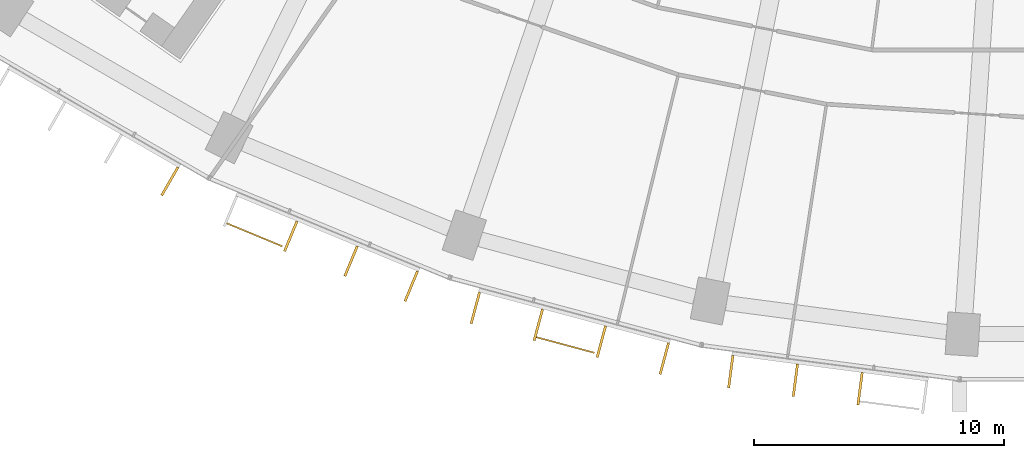
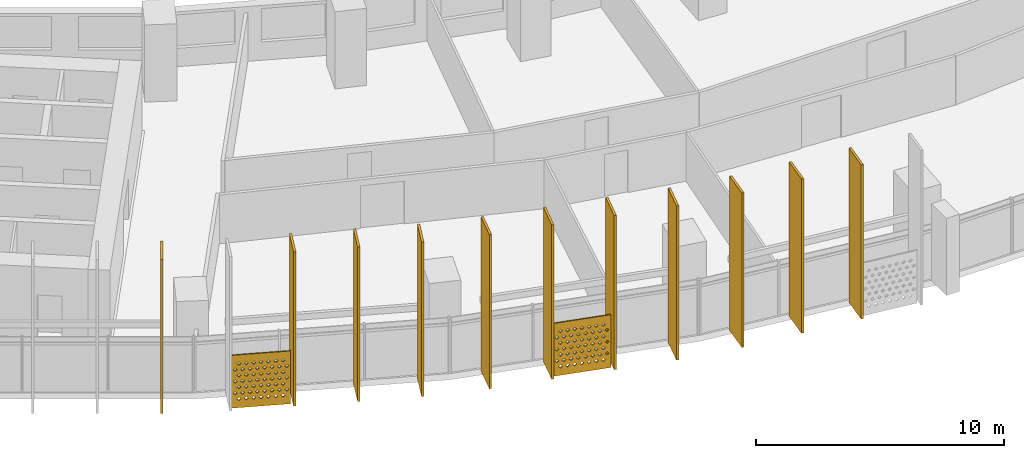
# One storey, part 27 of 32: 13 shading devices.
"""IFC4 building model written with IfcOpenShell, lengths in metres."""

import ifcopenshell
import ifcopenshell.guid

model = None  # the IFC model being written
_history = None  # IfcOwnerHistory: only IFC2X3 demands one
_inside = {}  # id of a spatial element -> (the spatial element, [elements in it])
_under = {}  # id of a project, library or spatial element -> (it, [spatial elements below it])
_declared = {}  # id of a project -> (the project, [libraries it declares])
_typed = {}  # id of a type object -> (the type object, [elements of that type])
_made_of = {}  # id of a material, layer set ... -> (it, [elements and type objects made of it])


def new_model(schema):
    """Start an empty IFC model of exactly this schema.

    Asked for "IFC4X3", IfcOpenShell would pick the latest addendum, in which some entities
    have other attributes; the version numbers below select the first issue.
    IFC2X3 requires an IfcOwnerHistory on every rooted entity: one is made here for all.
    """
    global model, _history
    if schema == "IFC4X3":
        model = ifcopenshell.file(schema_version=(4, 3, 0, 0))
    else:
        model = ifcopenshell.file(schema=schema)
    _inside.clear()
    _under.clear()
    _declared.clear()
    _typed.clear()
    _made_of.clear()
    _history = None
    if model.schema == "IFC2X3":
        org = make("IfcOrganization", Name="unknown")
        user = make(
            "IfcPersonAndOrganization",
            ThePerson=make("IfcPerson", FamilyName="unknown"),
            TheOrganization=org,
        )
        app = make(
            "IfcApplication",
            ApplicationDeveloper=org,
            Version="unknown",
            ApplicationFullName="unknown",
            ApplicationIdentifier="unknown",
        )
        _history = make(
            "IfcOwnerHistory",
            OwningUser=user,
            OwningApplication=app,
            ChangeAction="ADDED",
            CreationDate=0,
        )
    return model


def make(cls, **values):
    """One entity of the class cls with the attributes given. An attribute that is None is left unset."""
    return model.create_entity(
        cls, **{name: value for name, value in values.items() if value is not None}
    )


def rooted(cls, **values):
    """An entity with a GlobalId (a new one), such as an element, a storey or a relation."""
    return make(cls, GlobalId=ifcopenshell.guid.new(), OwnerHistory=_history, **values)


def si_unit(unit_type, name, prefix=None):
    """IfcSIUnit, for example si_unit("LENGTHUNIT", "METRE", prefix="MILLI")."""
    return make("IfcSIUnit", UnitType=unit_type, Prefix=prefix, Name=name)


def assignment(units):
    """IfcUnitAssignment: the units of a project."""
    return None if units is None else make("IfcUnitAssignment", Units=units)


def point(xyz):
    """IfcCartesianPoint."""
    return None if xyz is None else make("IfcCartesianPoint", Coordinates=xyz)


def direction(xyz):
    """IfcDirection."""
    return None if xyz is None else make("IfcDirection", DirectionRatios=xyz)


def frame(location, z_axis=None, x_axis=None):
    """IfcAxis2Placement3D, a coordinate frame: its origin and axes. An axis left out is left unset."""
    return make(
        "IfcAxis2Placement3D",
        Location=point(location),
        Axis=direction(z_axis),
        RefDirection=direction(x_axis),
    )


def frame_2d(location, x_axis=None):
    """IfcAxis2Placement2D, a coordinate frame in the plane: its origin and x axis."""
    return make(
        "IfcAxis2Placement2D", Location=point(location), RefDirection=direction(x_axis)
    )


def origin():
    """The frame at (0, 0, 0) with its axes left unset."""
    return frame((0.0, 0.0, 0.0))


def origin_2d():
    """The frame at (0, 0) in the plane with its x axis left unset."""
    return frame_2d((0.0, 0.0))


def place(relative_to, where):
    """IfcLocalPlacement: puts the frame where relative to a parent placement (None: the world)."""
    return make(
        "IfcLocalPlacement", PlacementRelTo=relative_to, RelativePlacement=where
    )


def context(
    kind, dimensions, precision=None, world=None, true_north=None, identifier=None
):
    """IfcGeometricRepresentationContext, for example the 3D "Model" context."""
    return make(
        "IfcGeometricRepresentationContext",
        ContextIdentifier=identifier,
        ContextType=kind,
        CoordinateSpaceDimension=dimensions,
        Precision=precision,
        WorldCoordinateSystem=world,
        TrueNorth=true_north,
    )


def subcontext(parent, identifier, kind, view, scale=None):
    """IfcGeometricRepresentationSubContext, for example "Body" below "Model"."""
    return make(
        "IfcGeometricRepresentationSubContext",
        ContextIdentifier=identifier,
        ContextType=kind,
        ParentContext=parent,
        TargetScale=scale,
        TargetView=view,
    )


def project(units=None, contexts=None):
    """IfcProject with its units and contexts."""
    return rooted(
        "IfcProject",
        Name="project",
        RepresentationContexts=contexts,
        UnitsInContext=assignment(units),
    )


def spatial(cls, under=None, at=None, **own):
    """A site, building, storey or space (cls), placed at a placement, below another one or the project."""
    s = rooted(cls, ObjectPlacement=at, **own)
    if under is not None:
        _under.setdefault(under.id(), (under, []))[1].append(s)
    return s


def polyline(points):
    """IfcPolyline through the points."""
    return make("IfcPolyline", Points=[point(p) for p in points])


def profile(cls, at=None, kind="AREA", **sizes):
    """A parametric profile (cls). Its sizes go by their IFC names, for example OverallWidth=200.0."""
    return make(cls, ProfileType=kind, Position=at, **sizes)


def rectangle(**sizes):
    """IfcRectangleProfileDef."""
    return profile("IfcRectangleProfileDef", **sizes)


def outline(outer, holes=None, kind="AREA"):
    """IfcArbitraryClosedProfileDef: a profile drawn as a closed curve; with holes, ...WithVoids."""
    if holes is None:
        return make("IfcArbitraryClosedProfileDef", ProfileType=kind, OuterCurve=outer)
    return make(
        "IfcArbitraryProfileDefWithVoids",
        ProfileType=kind,
        OuterCurve=outer,
        InnerCurves=holes,
    )


def extrude(swept, where, along, depth):
    """IfcExtrudedAreaSolid: the profile swept, set in the frame where, extruded along a direction by depth."""
    return make(
        "IfcExtrudedAreaSolid",
        SweptArea=swept,
        Position=where,
        ExtrudedDirection=direction(along),
        Depth=depth,
    )


def shape(context_of_items, identifier, shape_type, items):
    """IfcShapeRepresentation: the items that make up one representation, for example the "Body"."""
    return make(
        "IfcShapeRepresentation",
        ContextOfItems=context_of_items,
        RepresentationIdentifier=identifier,
        RepresentationType=shape_type,
        Items=items,
    )


def material(Name=None, Category=None):
    """IfcMaterial."""
    return make("IfcMaterial", Name=Name, Category=Category)


def material_profile(
    of_material, cross_section, Name=None, Category=None, Priority=None
):
    """IfcMaterialProfile: a cross section and its material."""
    return make(
        "IfcMaterialProfile",
        Name=Name,
        Material=of_material,
        Profile=cross_section,
        Priority=Priority,
        Category=Category,
    )


def profile_set(profiles, Name=None, composite=None):
    """IfcMaterialProfileSet."""
    return make(
        "IfcMaterialProfileSet",
        Name=Name,
        MaterialProfiles=profiles,
        CompositeProfile=composite,
    )


def made_of(thing, what):
    """Note that an element or type object is made of a material, layer set ...; save() writes the relation."""
    if what is not None:
        _made_of.setdefault(what.id(), (what, []))[1].append(thing)
    return thing


def type_object(cls, material=None, **own):
    """A type object (cls), such as IfcWallType, which elements share."""
    return made_of(rooted(cls, **own), material)


def element(
    cls,
    number,
    at=None,
    inside=None,
    cuts=None,
    type_object=None,
    material=None,
    context=None,
    identifier="Body",
    shape_type=None,
    held_by="IfcProductDefinitionShape",
    body=None,
    shapes=None,
    **own,
):
    """One element of the class cls, such as IfcWall. Its Tag is "e" and its number.

    at: its placement. inside: the storey or other place that contains it. cuts: it is an
    opening in that element (IfcRelVoidsElement). A single representation is given by context,
    identifier, shape_type and body (its items); several are given by shapes. held_by: the class
    of the entity that holds the representations. save() writes the other relations.
    """
    e = rooted(cls, Tag="e%d" % number, ObjectPlacement=at, **own)
    if body is not None:
        shapes = [shape(context, identifier, shape_type, body)]
    if shapes is not None:
        e.Representation = make(held_by, Representations=shapes)
    if inside is not None:
        _inside.setdefault(inside.id(), (inside, []))[1].append(e)
    if cuts is not None:
        rooted(
            "IfcRelVoidsElement", RelatingBuildingElement=cuts, RelatedOpeningElement=e
        )
    if type_object is not None:
        _typed.setdefault(type_object.id(), (type_object, []))[1].append(e)
    return made_of(e, material)


def aggregate(whole, parts):
    """IfcRelAggregates: a whole, such as a stair, and the parts it consists of."""
    return rooted("IfcRelAggregates", RelatingObject=whole, RelatedObjects=parts)


def save(model, path):
    """Write the relations noted so far, then the file.

    IfcRelAggregates (storeys below a building ...), IfcRelContainedInSpatialStructure (elements
    in a storey), IfcRelDefinesByType, IfcRelAssociatesMaterial and IfcRelDeclares: one each for
    every whole, place, type object, material and project.
    """
    for whole, parts in _under.values():
        aggregate(whole, parts)
    for where, things in _inside.values():
        rooted(
            "IfcRelContainedInSpatialStructure",
            RelatedElements=things,
            RelatingStructure=where,
        )
    for kind, things in _typed.values():
        rooted("IfcRelDefinesByType", RelatedObjects=things, RelatingType=kind)
    for what, things in _made_of.values():
        rooted("IfcRelAssociatesMaterial", RelatedObjects=things, RelatingMaterial=what)
    for by, libraries in _declared.values():
        rooted("IfcRelDeclares", RelatingContext=by, RelatedDefinitions=libraries)
    model.write(path)


model = new_model("IFC4")

# Units and contexts
model_context = context("Model", 3, precision=1e-05, world=origin(), true_north=direction((0.0, 1.0)))
body_context = subcontext(model_context, "Body", "Model", "MODEL_VIEW")
ifc_project = project(units=[si_unit("LENGTHUNIT", "METRE"), si_unit("AREAUNIT", "SQUARE_METRE"), si_unit("VOLUMEUNIT", "CUBIC_METRE"), si_unit("PLANEANGLEUNIT", "RADIAN"), si_unit("MASSUNIT", "GRAM", prefix="KILO")], contexts=[model_context])

# Site, building, storey
site_placement = place(None, origin())
site = spatial("IfcSite", under=ifc_project, at=site_placement, CompositionType="ELEMENT")
building_placement = place(site_placement, origin())
building = spatial("IfcBuilding", under=site, at=building_placement, Name="Qamariyya Broadcast Tower", CompositionType="ELEMENT")
storey_placement = place(building_placement, frame((0.0, 0.0, 70.89990234375)))
storey = spatial("IfcBuildingStorey", under=building, at=storey_placement, Name="L14", CompositionType="ELEMENT", Elevation=70.89990234375)

# Shading devices
ifc_material_1 = material(Name="Perforated glazed terracotta", Category="masonry")
ifc_material_profile_1 = material_profile(ifc_material_1, outline(polyline([(-1.199951171875, -1.300048828125), (1.199951171875, -1.300048828125), (1.199951171875, 1.300048828125), (-1.199951171875, 1.300048828125), (-1.199951171875, -1.300048828125)]), holes=[polyline([(-0.81494140625, -0.86669921875), (-0.89990234375, -0.78173828125), (-0.985107421875, -0.86669921875), (-0.89990234375, -0.95166015625), (-0.81494140625, -0.86669921875)]), polyline([(-0.514892578125, -0.86669921875), (-0.60009765625, -0.78173828125), (-0.68505859375, -0.86669921875), (-0.60009765625, -0.95166015625), (-0.514892578125, -0.86669921875)]), polyline([(-0.215087890625, -0.86669921875), (-0.300048828125, -0.78173828125), (-0.385009765625, -0.86669921875), (-0.300048828125, -0.95166015625), (-0.215087890625, -0.86669921875)]), polyline([(0.0849609375, -0.86669921875), (0.0, -0.78173828125), (-0.0849609375, -0.86669921875), (0.0, -0.95166015625), (0.0849609375, -0.86669921875)]), polyline([(0.385009765625, -0.86669921875), (0.300048828125, -0.78173828125), (0.215087890625, -0.86669921875), (0.300048828125, -0.95166015625), (0.385009765625, -0.86669921875)]), polyline([(0.68505859375, -0.86669921875), (0.60009765625, -0.78173828125), (0.514892578125, -0.86669921875), (0.60009765625, -0.95166015625), (0.68505859375, -0.86669921875)]), polyline([(0.985107421875, -0.86669921875), (0.89990234375, -0.78173828125), (0.81494140625, -0.86669921875), (0.89990234375, -0.95166015625), (0.985107421875, -0.86669921875)]), polyline([(-0.965087890625, -0.577880859375), (-1.050048828125, -0.49267578125), (-1.135009765625, -0.577880859375), (-1.050048828125, -0.662841796875), (-0.965087890625, -0.577880859375)]), polyline([(-0.6650390625, -0.577880859375), (-0.75, -0.49267578125), (-0.8349609375, -0.577880859375), (-0.75, -0.662841796875), (-0.6650390625, -0.577880859375)]), polyline([(-0.364990234375, -0.577880859375), (-0.449951171875, -0.49267578125), (-0.534912109375, -0.577880859375), (-0.449951171875, -0.662841796875), (-0.364990234375, -0.577880859375)]), polyline([(-0.06494140625, -0.577880859375), (-0.14990234375, -0.49267578125), (-0.235107421875, -0.577880859375), (-0.14990234375, -0.662841796875), (-0.06494140625, -0.577880859375)]), polyline([(0.235107421875, -0.577880859375), (0.14990234375, -0.49267578125), (0.06494140625, -0.577880859375), (0.14990234375, -0.662841796875), (0.235107421875, -0.577880859375)]), polyline([(0.534912109375, -0.577880859375), (0.449951171875, -0.49267578125), (0.364990234375, -0.577880859375), (0.449951171875, -0.662841796875), (0.534912109375, -0.577880859375)]), polyline([(0.8349609375, -0.577880859375), (0.75, -0.49267578125), (0.6650390625, -0.577880859375), (0.75, -0.662841796875), (0.8349609375, -0.577880859375)]), polyline([(1.135009765625, -0.577880859375), (1.050048828125, -0.49267578125), (0.965087890625, -0.577880859375), (1.050048828125, -0.662841796875), (1.135009765625, -0.577880859375)]), polyline([(-0.81494140625, -0.288818359375), (-0.89990234375, -0.203857421875), (-0.985107421875, -0.288818359375), (-0.89990234375, -0.373779296875), (-0.81494140625, -0.288818359375)]), polyline([(-0.514892578125, -0.288818359375), (-0.60009765625, -0.203857421875), (-0.68505859375, -0.288818359375), (-0.60009765625, -0.373779296875), (-0.514892578125, -0.288818359375)]), polyline([(-0.215087890625, -0.288818359375), (-0.300048828125, -0.203857421875), (-0.385009765625, -0.288818359375), (-0.300048828125, -0.373779296875), (-0.215087890625, -0.288818359375)]), polyline([(0.0849609375, -0.288818359375), (0.0, -0.203857421875), (-0.0849609375, -0.288818359375), (0.0, -0.373779296875), (0.0849609375, -0.288818359375)]), polyline([(0.385009765625, -0.288818359375), (0.300048828125, -0.203857421875), (0.215087890625, -0.288818359375), (0.300048828125, -0.373779296875), (0.385009765625, -0.288818359375)]), polyline([(0.68505859375, -0.288818359375), (0.60009765625, -0.203857421875), (0.514892578125, -0.288818359375), (0.60009765625, -0.373779296875), (0.68505859375, -0.288818359375)]), polyline([(0.985107421875, -0.288818359375), (0.89990234375, -0.203857421875), (0.81494140625, -0.288818359375), (0.89990234375, -0.373779296875), (0.985107421875, -0.288818359375)]), polyline([(-0.965087890625, 0.0), (-1.050048828125, 0.0849609375), (-1.135009765625, 0.0), (-1.050048828125, -0.0849609375), (-0.965087890625, 0.0)]), polyline([(-0.6650390625, 0.0), (-0.75, 0.0849609375), (-0.8349609375, 0.0), (-0.75, -0.0849609375), (-0.6650390625, 0.0)]), polyline([(-0.364990234375, 0.0), (-0.449951171875, 0.0849609375), (-0.534912109375, 0.0), (-0.449951171875, -0.0849609375), (-0.364990234375, 0.0)]), polyline([(-0.06494140625, 0.0), (-0.14990234375, 0.0849609375), (-0.235107421875, 0.0), (-0.14990234375, -0.0849609375), (-0.06494140625, 0.0)]), polyline([(0.235107421875, 0.0), (0.14990234375, 0.0849609375), (0.06494140625, 0.0), (0.14990234375, -0.0849609375), (0.235107421875, 0.0)]), polyline([(0.534912109375, 0.0), (0.449951171875, 0.0849609375), (0.364990234375, 0.0), (0.449951171875, -0.0849609375), (0.534912109375, 0.0)]), polyline([(0.8349609375, 0.0), (0.75, 0.0849609375), (0.6650390625, 0.0), (0.75, -0.0849609375), (0.8349609375, 0.0)]), polyline([(1.135009765625, 0.0), (1.050048828125, 0.0849609375), (0.965087890625, 0.0), (1.050048828125, -0.0849609375), (1.135009765625, 0.0)]), polyline([(-0.81494140625, 0.288818359375), (-0.89990234375, 0.373779296875), (-0.985107421875, 0.288818359375), (-0.89990234375, 0.203857421875), (-0.81494140625, 0.288818359375)]), polyline([(-0.514892578125, 0.288818359375), (-0.60009765625, 0.373779296875), (-0.68505859375, 0.288818359375), (-0.60009765625, 0.203857421875), (-0.514892578125, 0.288818359375)]), polyline([(-0.215087890625, 0.288818359375), (-0.300048828125, 0.373779296875), (-0.385009765625, 0.288818359375), (-0.300048828125, 0.203857421875), (-0.215087890625, 0.288818359375)]), polyline([(0.0849609375, 0.288818359375), (0.0, 0.373779296875), (-0.0849609375, 0.288818359375), (0.0, 0.203857421875), (0.0849609375, 0.288818359375)]), polyline([(0.385009765625, 0.288818359375), (0.300048828125, 0.373779296875), (0.215087890625, 0.288818359375), (0.300048828125, 0.203857421875), (0.385009765625, 0.288818359375)]), polyline([(0.68505859375, 0.288818359375), (0.60009765625, 0.373779296875), (0.514892578125, 0.288818359375), (0.60009765625, 0.203857421875), (0.68505859375, 0.288818359375)]), polyline([(0.985107421875, 0.288818359375), (0.89990234375, 0.373779296875), (0.81494140625, 0.288818359375), (0.89990234375, 0.203857421875), (0.985107421875, 0.288818359375)]), polyline([(-0.965087890625, 0.577880859375), (-1.050048828125, 0.662841796875), (-1.135009765625, 0.577880859375), (-1.050048828125, 0.49267578125), (-0.965087890625, 0.577880859375)]), polyline([(-0.6650390625, 0.577880859375), (-0.75, 0.662841796875), (-0.8349609375, 0.577880859375), (-0.75, 0.49267578125), (-0.6650390625, 0.577880859375)]), polyline([(-0.364990234375, 0.577880859375), (-0.449951171875, 0.662841796875), (-0.534912109375, 0.577880859375), (-0.449951171875, 0.49267578125), (-0.364990234375, 0.577880859375)]), polyline([(-0.06494140625, 0.577880859375), (-0.14990234375, 0.662841796875), (-0.235107421875, 0.577880859375), (-0.14990234375, 0.49267578125), (-0.06494140625, 0.577880859375)]), polyline([(0.235107421875, 0.577880859375), (0.14990234375, 0.662841796875), (0.06494140625, 0.577880859375), (0.14990234375, 0.49267578125), (0.235107421875, 0.577880859375)]), polyline([(0.534912109375, 0.577880859375), (0.449951171875, 0.662841796875), (0.364990234375, 0.577880859375), (0.449951171875, 0.49267578125), (0.534912109375, 0.577880859375)]), polyline([(0.8349609375, 0.577880859375), (0.75, 0.662841796875), (0.6650390625, 0.577880859375), (0.75, 0.49267578125), (0.8349609375, 0.577880859375)]), polyline([(1.135009765625, 0.577880859375), (1.050048828125, 0.662841796875), (0.965087890625, 0.577880859375), (1.050048828125, 0.49267578125), (1.135009765625, 0.577880859375)]), polyline([(-0.81494140625, 0.86669921875), (-0.89990234375, 0.95166015625), (-0.985107421875, 0.86669921875), (-0.89990234375, 0.78173828125), (-0.81494140625, 0.86669921875)]), polyline([(-0.514892578125, 0.86669921875), (-0.60009765625, 0.95166015625), (-0.68505859375, 0.86669921875), (-0.60009765625, 0.78173828125), (-0.514892578125, 0.86669921875)]), polyline([(-0.215087890625, 0.86669921875), (-0.300048828125, 0.95166015625), (-0.385009765625, 0.86669921875), (-0.300048828125, 0.78173828125), (-0.215087890625, 0.86669921875)]), polyline([(0.0849609375, 0.86669921875), (0.0, 0.95166015625), (-0.0849609375, 0.86669921875), (0.0, 0.78173828125), (0.0849609375, 0.86669921875)]), polyline([(0.385009765625, 0.86669921875), (0.300048828125, 0.95166015625), (0.215087890625, 0.86669921875), (0.300048828125, 0.78173828125), (0.385009765625, 0.86669921875)]), polyline([(0.68505859375, 0.86669921875), (0.60009765625, 0.95166015625), (0.514892578125, 0.86669921875), (0.60009765625, 0.78173828125), (0.68505859375, 0.86669921875)]), polyline([(0.985107421875, 0.86669921875), (0.89990234375, 0.95166015625), (0.81494140625, 0.86669921875), (0.89990234375, 0.78173828125), (0.985107421875, 0.86669921875)])]))
ifc_profile_set_1 = profile_set([ifc_material_profile_1], Name="Perforated glazed terracotta")
shading_device_type_1 = type_object("IfcShadingDeviceType", Name="Perforated terracotta screen 2400 x 2600", PredefinedType="USERDEFINED", material=ifc_profile_set_1)
shading_device_1_placement = place(storey_placement, frame((-33.356201171875, -73.5859375, 1.35009765625), z_axis=(-0.382591441855, -0.923917630863, 0.0), x_axis=(0.923917630863, -0.382591441855, 0.0)))
element("IfcShadingDevice", 1, at=shading_device_1_placement, inside=storey, type_object=shading_device_type_1, Name="e-scr-L14-05-0", ObjectType="SCREEN", PredefinedType="USERDEFINED", context=body_context, shape_type="SweptSolid", body=[
    extrude(outline(polyline([(-1.199951171875, -1.300048828125), (1.199951171875, -1.300048828125), (1.199951171875, 1.300048828125), (-1.199951171875, 1.300048828125), (-1.199951171875, -1.300048828125)]), holes=[polyline([(-0.81494140625, -0.86669921875), (-0.89990234375, -0.78173828125), (-0.985107421875, -0.86669921875), (-0.89990234375, -0.95166015625), (-0.81494140625, -0.86669921875)]), polyline([(-0.514892578125, -0.86669921875), (-0.60009765625, -0.78173828125), (-0.68505859375, -0.86669921875), (-0.60009765625, -0.95166015625), (-0.514892578125, -0.86669921875)]), polyline([(-0.215087890625, -0.86669921875), (-0.300048828125, -0.78173828125), (-0.385009765625, -0.86669921875), (-0.300048828125, -0.95166015625), (-0.215087890625, -0.86669921875)]), polyline([(0.0849609375, -0.86669921875), (0.0, -0.78173828125), (-0.0849609375, -0.86669921875), (0.0, -0.95166015625), (0.0849609375, -0.86669921875)]), polyline([(0.385009765625, -0.86669921875), (0.300048828125, -0.78173828125), (0.215087890625, -0.86669921875), (0.300048828125, -0.95166015625), (0.385009765625, -0.86669921875)]), polyline([(0.68505859375, -0.86669921875), (0.60009765625, -0.78173828125), (0.514892578125, -0.86669921875), (0.60009765625, -0.95166015625), (0.68505859375, -0.86669921875)]), polyline([(0.985107421875, -0.86669921875), (0.89990234375, -0.78173828125), (0.81494140625, -0.86669921875), (0.89990234375, -0.95166015625), (0.985107421875, -0.86669921875)]), polyline([(-0.965087890625, -0.577880859375), (-1.050048828125, -0.49267578125), (-1.135009765625, -0.577880859375), (-1.050048828125, -0.662841796875), (-0.965087890625, -0.577880859375)]), polyline([(-0.6650390625, -0.577880859375), (-0.75, -0.49267578125), (-0.8349609375, -0.577880859375), (-0.75, -0.662841796875), (-0.6650390625, -0.577880859375)]), polyline([(-0.364990234375, -0.577880859375), (-0.449951171875, -0.49267578125), (-0.534912109375, -0.577880859375), (-0.449951171875, -0.662841796875), (-0.364990234375, -0.577880859375)]), polyline([(-0.06494140625, -0.577880859375), (-0.14990234375, -0.49267578125), (-0.235107421875, -0.577880859375), (-0.14990234375, -0.662841796875), (-0.06494140625, -0.577880859375)]), polyline([(0.235107421875, -0.577880859375), (0.14990234375, -0.49267578125), (0.06494140625, -0.577880859375), (0.14990234375, -0.662841796875), (0.235107421875, -0.577880859375)]), polyline([(0.534912109375, -0.577880859375), (0.449951171875, -0.49267578125), (0.364990234375, -0.577880859375), (0.449951171875, -0.662841796875), (0.534912109375, -0.577880859375)]), polyline([(0.8349609375, -0.577880859375), (0.75, -0.49267578125), (0.6650390625, -0.577880859375), (0.75, -0.662841796875), (0.8349609375, -0.577880859375)]), polyline([(1.135009765625, -0.577880859375), (1.050048828125, -0.49267578125), (0.965087890625, -0.577880859375), (1.050048828125, -0.662841796875), (1.135009765625, -0.577880859375)]), polyline([(-0.81494140625, -0.288818359375), (-0.89990234375, -0.203857421875), (-0.985107421875, -0.288818359375), (-0.89990234375, -0.373779296875), (-0.81494140625, -0.288818359375)]), polyline([(-0.514892578125, -0.288818359375), (-0.60009765625, -0.203857421875), (-0.68505859375, -0.288818359375), (-0.60009765625, -0.373779296875), (-0.514892578125, -0.288818359375)]), polyline([(-0.215087890625, -0.288818359375), (-0.300048828125, -0.203857421875), (-0.385009765625, -0.288818359375), (-0.300048828125, -0.373779296875), (-0.215087890625, -0.288818359375)]), polyline([(0.0849609375, -0.288818359375), (0.0, -0.203857421875), (-0.0849609375, -0.288818359375), (0.0, -0.373779296875), (0.0849609375, -0.288818359375)]), polyline([(0.385009765625, -0.288818359375), (0.300048828125, -0.203857421875), (0.215087890625, -0.288818359375), (0.300048828125, -0.373779296875), (0.385009765625, -0.288818359375)]), polyline([(0.68505859375, -0.288818359375), (0.60009765625, -0.203857421875), (0.514892578125, -0.288818359375), (0.60009765625, -0.373779296875), (0.68505859375, -0.288818359375)]), polyline([(0.985107421875, -0.288818359375), (0.89990234375, -0.203857421875), (0.81494140625, -0.288818359375), (0.89990234375, -0.373779296875), (0.985107421875, -0.288818359375)]), polyline([(-0.965087890625, 0.0), (-1.050048828125, 0.0849609375), (-1.135009765625, 0.0), (-1.050048828125, -0.0849609375), (-0.965087890625, 0.0)]), polyline([(-0.6650390625, 0.0), (-0.75, 0.0849609375), (-0.8349609375, 0.0), (-0.75, -0.0849609375), (-0.6650390625, 0.0)]), polyline([(-0.364990234375, 0.0), (-0.449951171875, 0.0849609375), (-0.534912109375, 0.0), (-0.449951171875, -0.0849609375), (-0.364990234375, 0.0)]), polyline([(-0.06494140625, 0.0), (-0.14990234375, 0.0849609375), (-0.235107421875, 0.0), (-0.14990234375, -0.0849609375), (-0.06494140625, 0.0)]), polyline([(0.235107421875, 0.0), (0.14990234375, 0.0849609375), (0.06494140625, 0.0), (0.14990234375, -0.0849609375), (0.235107421875, 0.0)]), polyline([(0.534912109375, 0.0), (0.449951171875, 0.0849609375), (0.364990234375, 0.0), (0.449951171875, -0.0849609375), (0.534912109375, 0.0)]), polyline([(0.8349609375, 0.0), (0.75, 0.0849609375), (0.6650390625, 0.0), (0.75, -0.0849609375), (0.8349609375, 0.0)]), polyline([(1.135009765625, 0.0), (1.050048828125, 0.0849609375), (0.965087890625, 0.0), (1.050048828125, -0.0849609375), (1.135009765625, 0.0)]), polyline([(-0.81494140625, 0.288818359375), (-0.89990234375, 0.373779296875), (-0.985107421875, 0.288818359375), (-0.89990234375, 0.203857421875), (-0.81494140625, 0.288818359375)]), polyline([(-0.514892578125, 0.288818359375), (-0.60009765625, 0.373779296875), (-0.68505859375, 0.288818359375), (-0.60009765625, 0.203857421875), (-0.514892578125, 0.288818359375)]), polyline([(-0.215087890625, 0.288818359375), (-0.300048828125, 0.373779296875), (-0.385009765625, 0.288818359375), (-0.300048828125, 0.203857421875), (-0.215087890625, 0.288818359375)]), polyline([(0.0849609375, 0.288818359375), (0.0, 0.373779296875), (-0.0849609375, 0.288818359375), (0.0, 0.203857421875), (0.0849609375, 0.288818359375)]), polyline([(0.385009765625, 0.288818359375), (0.300048828125, 0.373779296875), (0.215087890625, 0.288818359375), (0.300048828125, 0.203857421875), (0.385009765625, 0.288818359375)]), polyline([(0.68505859375, 0.288818359375), (0.60009765625, 0.373779296875), (0.514892578125, 0.288818359375), (0.60009765625, 0.203857421875), (0.68505859375, 0.288818359375)]), polyline([(0.985107421875, 0.288818359375), (0.89990234375, 0.373779296875), (0.81494140625, 0.288818359375), (0.89990234375, 0.203857421875), (0.985107421875, 0.288818359375)]), polyline([(-0.965087890625, 0.577880859375), (-1.050048828125, 0.662841796875), (-1.135009765625, 0.577880859375), (-1.050048828125, 0.49267578125), (-0.965087890625, 0.577880859375)]), polyline([(-0.6650390625, 0.577880859375), (-0.75, 0.662841796875), (-0.8349609375, 0.577880859375), (-0.75, 0.49267578125), (-0.6650390625, 0.577880859375)]), polyline([(-0.364990234375, 0.577880859375), (-0.449951171875, 0.662841796875), (-0.534912109375, 0.577880859375), (-0.449951171875, 0.49267578125), (-0.364990234375, 0.577880859375)]), polyline([(-0.06494140625, 0.577880859375), (-0.14990234375, 0.662841796875), (-0.235107421875, 0.577880859375), (-0.14990234375, 0.49267578125), (-0.06494140625, 0.577880859375)]), polyline([(0.235107421875, 0.577880859375), (0.14990234375, 0.662841796875), (0.06494140625, 0.577880859375), (0.14990234375, 0.49267578125), (0.235107421875, 0.577880859375)]), polyline([(0.534912109375, 0.577880859375), (0.449951171875, 0.662841796875), (0.364990234375, 0.577880859375), (0.449951171875, 0.49267578125), (0.534912109375, 0.577880859375)]), polyline([(0.8349609375, 0.577880859375), (0.75, 0.662841796875), (0.6650390625, 0.577880859375), (0.75, 0.49267578125), (0.8349609375, 0.577880859375)]), polyline([(1.135009765625, 0.577880859375), (1.050048828125, 0.662841796875), (0.965087890625, 0.577880859375), (1.050048828125, 0.49267578125), (1.135009765625, 0.577880859375)]), polyline([(-0.81494140625, 0.86669921875), (-0.89990234375, 0.95166015625), (-0.985107421875, 0.86669921875), (-0.89990234375, 0.78173828125), (-0.81494140625, 0.86669921875)]), polyline([(-0.514892578125, 0.86669921875), (-0.60009765625, 0.95166015625), (-0.68505859375, 0.86669921875), (-0.60009765625, 0.78173828125), (-0.514892578125, 0.86669921875)]), polyline([(-0.215087890625, 0.86669921875), (-0.300048828125, 0.95166015625), (-0.385009765625, 0.86669921875), (-0.300048828125, 0.78173828125), (-0.215087890625, 0.86669921875)]), polyline([(0.0849609375, 0.86669921875), (0.0, 0.95166015625), (-0.0849609375, 0.86669921875), (0.0, 0.78173828125), (0.0849609375, 0.86669921875)]), polyline([(0.385009765625, 0.86669921875), (0.300048828125, 0.95166015625), (0.215087890625, 0.86669921875), (0.300048828125, 0.78173828125), (0.385009765625, 0.86669921875)]), polyline([(0.68505859375, 0.86669921875), (0.60009765625, 0.95166015625), (0.514892578125, 0.86669921875), (0.60009765625, 0.78173828125), (0.68505859375, 0.86669921875)]), polyline([(0.985107421875, 0.86669921875), (0.89990234375, 0.95166015625), (0.81494140625, 0.86669921875), (0.89990234375, 0.78173828125), (0.985107421875, 0.86669921875)])]), origin(), (0.0, 0.0, 1.0), 0.06005859375),
])
shading_device_2_placement = place(storey_placement, frame((-20.949951171875, -77.984375, 1.35009765625), z_axis=(-0.259682438219, -0.965694067125, 0.0), x_axis=(0.965694067125, -0.259682438219, 0.0)))
element("IfcShadingDevice", 2, at=shading_device_2_placement, inside=storey, type_object=shading_device_type_1, Name="e-scr-L14-06-1", ObjectType="SCREEN", PredefinedType="USERDEFINED", context=body_context, shape_type="SweptSolid", body=[
    extrude(outline(polyline([(-1.199951171875, -1.300048828125), (1.199951171875, -1.300048828125), (1.199951171875, 1.300048828125), (-1.199951171875, 1.300048828125), (-1.199951171875, -1.300048828125)]), holes=[polyline([(-0.81494140625, -0.86669921875), (-0.89990234375, -0.78173828125), (-0.985107421875, -0.86669921875), (-0.89990234375, -0.95166015625), (-0.81494140625, -0.86669921875)]), polyline([(-0.514892578125, -0.86669921875), (-0.60009765625, -0.78173828125), (-0.68505859375, -0.86669921875), (-0.60009765625, -0.95166015625), (-0.514892578125, -0.86669921875)]), polyline([(-0.215087890625, -0.86669921875), (-0.300048828125, -0.78173828125), (-0.385009765625, -0.86669921875), (-0.300048828125, -0.95166015625), (-0.215087890625, -0.86669921875)]), polyline([(0.0849609375, -0.86669921875), (0.0, -0.78173828125), (-0.0849609375, -0.86669921875), (0.0, -0.95166015625), (0.0849609375, -0.86669921875)]), polyline([(0.385009765625, -0.86669921875), (0.300048828125, -0.78173828125), (0.215087890625, -0.86669921875), (0.300048828125, -0.95166015625), (0.385009765625, -0.86669921875)]), polyline([(0.68505859375, -0.86669921875), (0.60009765625, -0.78173828125), (0.514892578125, -0.86669921875), (0.60009765625, -0.95166015625), (0.68505859375, -0.86669921875)]), polyline([(0.985107421875, -0.86669921875), (0.89990234375, -0.78173828125), (0.81494140625, -0.86669921875), (0.89990234375, -0.95166015625), (0.985107421875, -0.86669921875)]), polyline([(-0.965087890625, -0.577880859375), (-1.050048828125, -0.49267578125), (-1.135009765625, -0.577880859375), (-1.050048828125, -0.662841796875), (-0.965087890625, -0.577880859375)]), polyline([(-0.6650390625, -0.577880859375), (-0.75, -0.49267578125), (-0.8349609375, -0.577880859375), (-0.75, -0.662841796875), (-0.6650390625, -0.577880859375)]), polyline([(-0.364990234375, -0.577880859375), (-0.449951171875, -0.49267578125), (-0.534912109375, -0.577880859375), (-0.449951171875, -0.662841796875), (-0.364990234375, -0.577880859375)]), polyline([(-0.06494140625, -0.577880859375), (-0.14990234375, -0.49267578125), (-0.235107421875, -0.577880859375), (-0.14990234375, -0.662841796875), (-0.06494140625, -0.577880859375)]), polyline([(0.235107421875, -0.577880859375), (0.14990234375, -0.49267578125), (0.06494140625, -0.577880859375), (0.14990234375, -0.662841796875), (0.235107421875, -0.577880859375)]), polyline([(0.534912109375, -0.577880859375), (0.449951171875, -0.49267578125), (0.364990234375, -0.577880859375), (0.449951171875, -0.662841796875), (0.534912109375, -0.577880859375)]), polyline([(0.8349609375, -0.577880859375), (0.75, -0.49267578125), (0.6650390625, -0.577880859375), (0.75, -0.662841796875), (0.8349609375, -0.577880859375)]), polyline([(1.135009765625, -0.577880859375), (1.050048828125, -0.49267578125), (0.965087890625, -0.577880859375), (1.050048828125, -0.662841796875), (1.135009765625, -0.577880859375)]), polyline([(-0.81494140625, -0.288818359375), (-0.89990234375, -0.203857421875), (-0.985107421875, -0.288818359375), (-0.89990234375, -0.373779296875), (-0.81494140625, -0.288818359375)]), polyline([(-0.514892578125, -0.288818359375), (-0.60009765625, -0.203857421875), (-0.68505859375, -0.288818359375), (-0.60009765625, -0.373779296875), (-0.514892578125, -0.288818359375)]), polyline([(-0.215087890625, -0.288818359375), (-0.300048828125, -0.203857421875), (-0.385009765625, -0.288818359375), (-0.300048828125, -0.373779296875), (-0.215087890625, -0.288818359375)]), polyline([(0.0849609375, -0.288818359375), (0.0, -0.203857421875), (-0.0849609375, -0.288818359375), (0.0, -0.373779296875), (0.0849609375, -0.288818359375)]), polyline([(0.385009765625, -0.288818359375), (0.300048828125, -0.203857421875), (0.215087890625, -0.288818359375), (0.300048828125, -0.373779296875), (0.385009765625, -0.288818359375)]), polyline([(0.68505859375, -0.288818359375), (0.60009765625, -0.203857421875), (0.514892578125, -0.288818359375), (0.60009765625, -0.373779296875), (0.68505859375, -0.288818359375)]), polyline([(0.985107421875, -0.288818359375), (0.89990234375, -0.203857421875), (0.81494140625, -0.288818359375), (0.89990234375, -0.373779296875), (0.985107421875, -0.288818359375)]), polyline([(-0.965087890625, 0.0), (-1.050048828125, 0.0849609375), (-1.135009765625, 0.0), (-1.050048828125, -0.0849609375), (-0.965087890625, 0.0)]), polyline([(-0.6650390625, 0.0), (-0.75, 0.0849609375), (-0.8349609375, 0.0), (-0.75, -0.0849609375), (-0.6650390625, 0.0)]), polyline([(-0.364990234375, 0.0), (-0.449951171875, 0.0849609375), (-0.534912109375, 0.0), (-0.449951171875, -0.0849609375), (-0.364990234375, 0.0)]), polyline([(-0.06494140625, 0.0), (-0.14990234375, 0.0849609375), (-0.235107421875, 0.0), (-0.14990234375, -0.0849609375), (-0.06494140625, 0.0)]), polyline([(0.235107421875, 0.0), (0.14990234375, 0.0849609375), (0.06494140625, 0.0), (0.14990234375, -0.0849609375), (0.235107421875, 0.0)]), polyline([(0.534912109375, 0.0), (0.449951171875, 0.0849609375), (0.364990234375, 0.0), (0.449951171875, -0.0849609375), (0.534912109375, 0.0)]), polyline([(0.8349609375, 0.0), (0.75, 0.0849609375), (0.6650390625, 0.0), (0.75, -0.0849609375), (0.8349609375, 0.0)]), polyline([(1.135009765625, 0.0), (1.050048828125, 0.0849609375), (0.965087890625, 0.0), (1.050048828125, -0.0849609375), (1.135009765625, 0.0)]), polyline([(-0.81494140625, 0.288818359375), (-0.89990234375, 0.373779296875), (-0.985107421875, 0.288818359375), (-0.89990234375, 0.203857421875), (-0.81494140625, 0.288818359375)]), polyline([(-0.514892578125, 0.288818359375), (-0.60009765625, 0.373779296875), (-0.68505859375, 0.288818359375), (-0.60009765625, 0.203857421875), (-0.514892578125, 0.288818359375)]), polyline([(-0.215087890625, 0.288818359375), (-0.300048828125, 0.373779296875), (-0.385009765625, 0.288818359375), (-0.300048828125, 0.203857421875), (-0.215087890625, 0.288818359375)]), polyline([(0.0849609375, 0.288818359375), (0.0, 0.373779296875), (-0.0849609375, 0.288818359375), (0.0, 0.203857421875), (0.0849609375, 0.288818359375)]), polyline([(0.385009765625, 0.288818359375), (0.300048828125, 0.373779296875), (0.215087890625, 0.288818359375), (0.300048828125, 0.203857421875), (0.385009765625, 0.288818359375)]), polyline([(0.68505859375, 0.288818359375), (0.60009765625, 0.373779296875), (0.514892578125, 0.288818359375), (0.60009765625, 0.203857421875), (0.68505859375, 0.288818359375)]), polyline([(0.985107421875, 0.288818359375), (0.89990234375, 0.373779296875), (0.81494140625, 0.288818359375), (0.89990234375, 0.203857421875), (0.985107421875, 0.288818359375)]), polyline([(-0.965087890625, 0.577880859375), (-1.050048828125, 0.662841796875), (-1.135009765625, 0.577880859375), (-1.050048828125, 0.49267578125), (-0.965087890625, 0.577880859375)]), polyline([(-0.6650390625, 0.577880859375), (-0.75, 0.662841796875), (-0.8349609375, 0.577880859375), (-0.75, 0.49267578125), (-0.6650390625, 0.577880859375)]), polyline([(-0.364990234375, 0.577880859375), (-0.449951171875, 0.662841796875), (-0.534912109375, 0.577880859375), (-0.449951171875, 0.49267578125), (-0.364990234375, 0.577880859375)]), polyline([(-0.06494140625, 0.577880859375), (-0.14990234375, 0.662841796875), (-0.235107421875, 0.577880859375), (-0.14990234375, 0.49267578125), (-0.06494140625, 0.577880859375)]), polyline([(0.235107421875, 0.577880859375), (0.14990234375, 0.662841796875), (0.06494140625, 0.577880859375), (0.14990234375, 0.49267578125), (0.235107421875, 0.577880859375)]), polyline([(0.534912109375, 0.577880859375), (0.449951171875, 0.662841796875), (0.364990234375, 0.577880859375), (0.449951171875, 0.49267578125), (0.534912109375, 0.577880859375)]), polyline([(0.8349609375, 0.577880859375), (0.75, 0.662841796875), (0.6650390625, 0.577880859375), (0.75, 0.49267578125), (0.8349609375, 0.577880859375)]), polyline([(1.135009765625, 0.577880859375), (1.050048828125, 0.662841796875), (0.965087890625, 0.577880859375), (1.050048828125, 0.49267578125), (1.135009765625, 0.577880859375)]), polyline([(-0.81494140625, 0.86669921875), (-0.89990234375, 0.95166015625), (-0.985107421875, 0.86669921875), (-0.89990234375, 0.78173828125), (-0.81494140625, 0.86669921875)]), polyline([(-0.514892578125, 0.86669921875), (-0.60009765625, 0.95166015625), (-0.68505859375, 0.86669921875), (-0.60009765625, 0.78173828125), (-0.514892578125, 0.86669921875)]), polyline([(-0.215087890625, 0.86669921875), (-0.300048828125, 0.95166015625), (-0.385009765625, 0.86669921875), (-0.300048828125, 0.78173828125), (-0.215087890625, 0.86669921875)]), polyline([(0.0849609375, 0.86669921875), (0.0, 0.95166015625), (-0.0849609375, 0.86669921875), (0.0, 0.78173828125), (0.0849609375, 0.86669921875)]), polyline([(0.385009765625, 0.86669921875), (0.300048828125, 0.95166015625), (0.215087890625, 0.86669921875), (0.300048828125, 0.78173828125), (0.385009765625, 0.86669921875)]), polyline([(0.68505859375, 0.86669921875), (0.60009765625, 0.95166015625), (0.514892578125, 0.86669921875), (0.60009765625, 0.78173828125), (0.68505859375, 0.86669921875)]), polyline([(0.985107421875, 0.86669921875), (0.89990234375, 0.95166015625), (0.81494140625, 0.86669921875), (0.89990234375, 0.78173828125), (0.985107421875, 0.86669921875)])]), origin(), (0.0, 0.0, 1.0), 0.06005859375),
])
ifc_material_2 = material(Name="Glazed terracotta", Category="masonry")
ifc_material_profile_2 = material_profile(ifc_material_2, rectangle(XDim=1.300048828125, YDim=0.10009765625, at=origin_2d()))
ifc_profile_set_2 = profile_set([ifc_material_profile_2], Name="Glazed terracotta")
shading_device_type_2 = type_object("IfcShadingDeviceType", Name="Terracotta fin 100 x 1300", PredefinedType="USERDEFINED", material=ifc_profile_set_2)
for number, where, z_axis, x_axis, name in (
    (3, (-36.756103515625, -71.4775390625, 0.0), (0.0, 0.0, 1.0), (-0.5, -0.866025403784, 0.0), "e-fin-L14-04-3"),
    (4, (-31.9248046875, -73.670166015625, 0.0), (0.0, 0.0, 1.0), (-0.382683432365, -0.923879532511, 0.0), "e-fin-L14-05-1"),
    (5, (-29.518310546875, -74.6669921875, 0.0), (0.0, 0.0, 1.0), (-0.382683432365, -0.923879532511, 0.0), "e-fin-L14-05-2"),
    (6, (-27.112060546875, -75.663818359375, 0.0), (0.0, 0.0, 1.0), (-0.382683432365, -0.923879532511, 0.0), "e-fin-L14-05-3"),
    (7, (-24.5517578125, -76.53271484375, 0.0), (0.0, 0.0, 1.0), (-0.258819045103, -0.965925826289, 0.0), "e-fin-L14-06-0"),
    (8, (-22.035888671875, -77.20703125, 0.0), (0.0, 0.0, 1.0), (-0.258819045103, -0.965925826289, 0.0), "e-fin-L14-06-1"),
    (9, (-19.519775390625, -77.881103515625, 0.0), (0.0, 0.0, 1.0), (-0.258819045103, -0.965925826289, 0.0), "e-fin-L14-06-2"),
    (10, (-17.00390625, -78.55517578125, 0.0), (0.0, 0.0, 1.0), (-0.258819045103, -0.965925826289, 0.0), "e-fin-L14-06-3"),
    (11, (-14.35205078125, -79.082763671875, 0.0), (0.0, 0.0, 1.0), (-0.13052619222, -0.991444861374, 0.0), "e-fin-L14-07-0"),
    (12, (-11.769775390625, -79.422607421875, 0.0), (0.0, 0.0, 1.0), (-0.13052619222, -0.991444861374, 0.0), "e-fin-L14-07-1"),
    (13, (-9.187255859375, -79.7626953125, 0.0), (0.0, 0.0, 1.0), (-0.13052619222, -0.991444861374, 0.0), "e-fin-L14-07-2"),
):
    element("IfcShadingDevice", number, at=place(storey_placement, frame(where, z_axis=z_axis, x_axis=x_axis)), inside=storey, type_object=shading_device_type_2, Name=name, ObjectType="FIN", PredefinedType="USERDEFINED", context=body_context, shape_type="SweptSolid", body=[
        extrude(rectangle(XDim=1.300048828125, YDim=0.10009765625, at=origin_2d()), origin(), (0.0, 0.0, 1.0), 7.60009765625),
    ])

save(model, "model.ifc")
